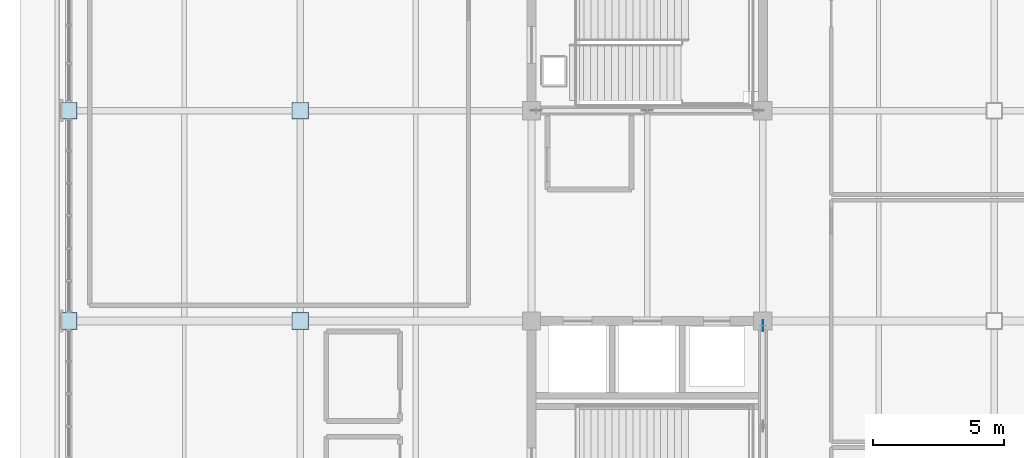
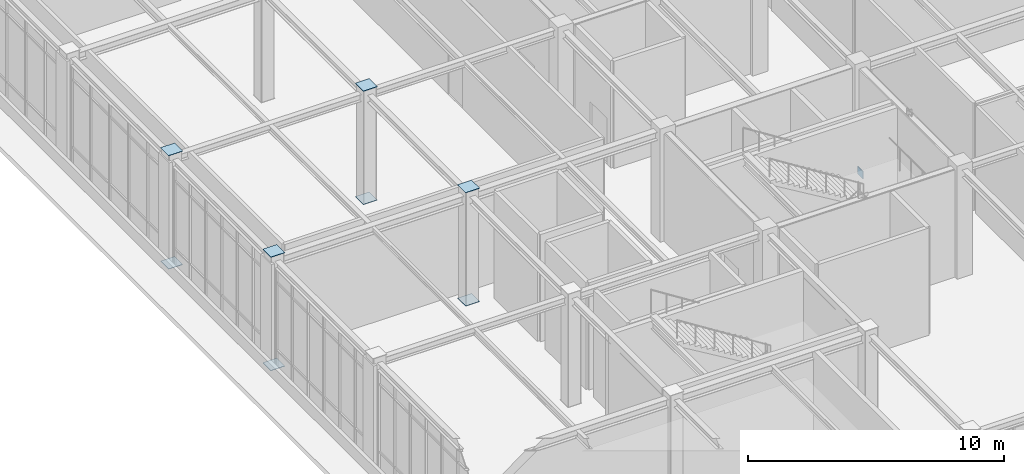
# One storey, part 73 of 108: 9 plates.
"""IFC4 building model written with IfcOpenShell, lengths in metres."""

from ifc_helpers import new_model, si_unit, direction, frame, origin, origin_2d, place, context, subcontext, project, spatial, rectangle, extrude, material, layer, layer_set, type_object, element, save


model = new_model("IFC4")

# Units and contexts
model_context = context("Model", 3, precision=1e-05, world=origin(), true_north=direction((0.0, 1.0)))
body_context = subcontext(model_context, "Body", "Model", "MODEL_VIEW")
ifc_project = project(units=[si_unit("LENGTHUNIT", "METRE"), si_unit("AREAUNIT", "SQUARE_METRE"), si_unit("VOLUMEUNIT", "CUBIC_METRE"), si_unit("PLANEANGLEUNIT", "RADIAN"), si_unit("MASSUNIT", "GRAM", prefix="KILO")], contexts=[model_context])

# Site, building, storey
site_placement = place(None, origin())
site = spatial("IfcSite", under=ifc_project, at=site_placement, CompositionType="ELEMENT")
building_placement = place(site_placement, origin())
building = spatial("IfcBuilding", under=site, at=building_placement, Name="Zhaolan Boulevard Law Courts", CompositionType="ELEMENT")
storey_placement = place(building_placement, frame((0.0, 0.0, 10.800048828125)))
storey = spatial("IfcBuildingStorey", under=building, at=storey_placement, Name="L02", CompositionType="ELEMENT", Elevation=10.800048828125)

# Plates
ifc_material_1 = material(Name="Structural steel Q355B", Category="steel")
ifc_layer_1 = layer(ifc_material_1, 0.02392578125)
ifc_layer_set_1 = layer_set([ifc_layer_1])
plate_type_1 = type_object("IfcPlateType", Name="BRACE GUSSET PLATE 24", PredefinedType="SHEET", material=ifc_layer_set_1)
plate_placement = place(storey_placement, frame((26.39990234375, 53.820068359375, -0.14990234375), z_axis=(0.0, 0.0, 1.0), x_axis=(0.0, 1.0, 0.0)))
element("IfcPlate", 1, at=plate_placement, inside=storey, type_object=plate_type_1, Name="Brace Gusset Connection Plate GP-W1-L02-EA2", PredefinedType="SHEET", context=body_context, shape_type="SweptSolid", body=[
    extrude(rectangle(XDim=0.419921875, YDim=0.02392578125, at=origin_2d()), origin(), (0.0, 0.0, 1.0), 0.360107421875),
])
ifc_material_2 = material(Name="Structural steel Q355B", Category="steel")
ifc_layer_2 = layer(ifc_material_2, 0.02001953125)
ifc_layer_set_2 = layer_set([ifc_layer_2])
plate_type_2 = type_object("IfcPlateType", Name="END CAP PLATE 20", PredefinedType="SHEET", material=ifc_layer_set_2)
for number, where, z_axis, x_axis, name in (
    (2, (0.0, 54.0, -0.01806640625), (0.0, 0.0, 1.0), (1.0, 0.0, 0.0), "Hollow Section End-Cap Plate ECP-0071"),
    (3, (0.0, 54.0, 5.39794921875), (0.0, 0.0, 1.0), (1.0, 0.0, 0.0), "Hollow Section End-Cap Plate ECP-0072"),
    (4, (0.0, 62.0, -0.01806640625), (0.0, 0.0, 1.0), (1.0, 0.0, 0.0), "Hollow Section End-Cap Plate ECP-0093"),
    (5, (0.0, 62.0, 5.39794921875), (0.0, 0.0, 1.0), (1.0, 0.0, 0.0), "Hollow Section End-Cap Plate ECP-0094"),
    (6, (8.800048828125, 54.0, -0.01806640625), (0.0, 0.0, 1.0), (1.0, 0.0, 0.0), "Hollow Section End-Cap Plate ECP-0205"),
    (7, (8.800048828125, 54.0, 5.39794921875), (0.0, 0.0, 1.0), (1.0, 0.0, 0.0), "Hollow Section End-Cap Plate ECP-0206"),
    (8, (8.800048828125, 62.0, -0.01806640625), (0.0, 0.0, 1.0), (1.0, 0.0, 0.0), "Hollow Section End-Cap Plate ECP-0227"),
    (9, (8.800048828125, 62.0, 5.39794921875), (0.0, 0.0, 1.0), (1.0, 0.0, 0.0), "Hollow Section End-Cap Plate ECP-0228"),
):
    element("IfcPlate", number, at=place(storey_placement, frame(where, z_axis=z_axis, x_axis=x_axis)), inside=storey, type_object=plate_type_2, Name=name, PredefinedType="SHEET", context=body_context, shape_type="SweptSolid", body=[
        extrude(rectangle(XDim=0.6298828125, YDim=0.6298828125, at=origin_2d()), origin(), (0.0, 0.0, 1.0), 0.02001953125),
    ])

save(model, "model.ifc")
